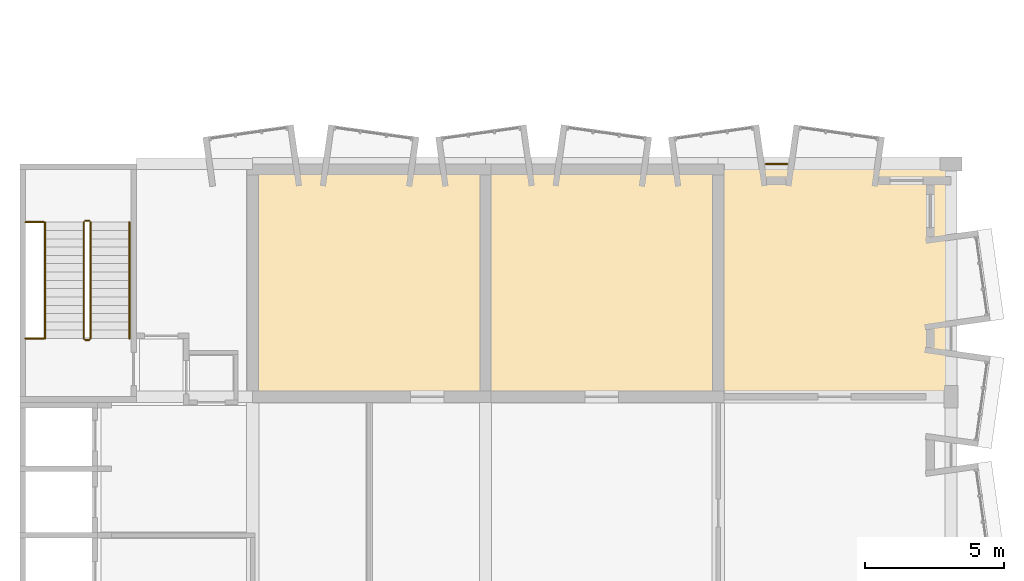
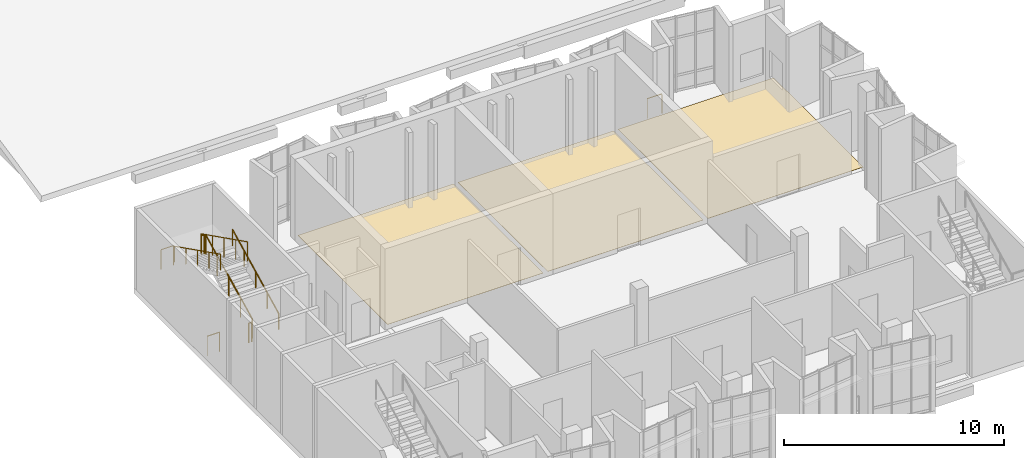
# One storey, part 17 of 19: 9 railings, 3 coverings.
"""IFC4 building model written with IfcOpenShell, lengths in metres."""

from ifc_helpers import new_model, si_unit, direction, frame, origin, origin_2d, place, context, subcontext, project, spatial, polyline, circle, outline, extrude, material, layer, layer_set, type_object, element, save


model = new_model("IFC4")

# Units and contexts
model_context = context("Model", 3, precision=1e-05, world=origin(), true_north=direction((0.0, 1.0)))
body_context = subcontext(model_context, "Body", "Model", "MODEL_VIEW")
ifc_project = project(units=[si_unit("LENGTHUNIT", "METRE"), si_unit("AREAUNIT", "SQUARE_METRE"), si_unit("VOLUMEUNIT", "CUBIC_METRE"), si_unit("PLANEANGLEUNIT", "RADIAN"), si_unit("MASSUNIT", "GRAM", prefix="KILO")], contexts=[model_context])

# Site, building, storey
site_placement = place(None, origin())
site = spatial("IfcSite", under=ifc_project, at=site_placement, CompositionType="ELEMENT")
building_placement = place(site_placement, origin())
building = spatial("IfcBuilding", under=site, at=building_placement, Name="Kiln Court Media Centre", CompositionType="ELEMENT")
storey_placement = place(building_placement, frame((0.0, 0.0, 29.10009765625)))
storey = spatial("IfcBuildingStorey", under=building, at=storey_placement, Name="L06", CompositionType="ELEMENT", Elevation=29.10009765625)

# Coverings
ifc_material_1 = material(Name="Carpet tile")
ifc_layer = layer(ifc_material_1, 0.014892578125)
ifc_layer_set = layer_set([ifc_layer], Name="Carpet tile floor finish 15")
covering_type = type_object("IfcCoveringType", Name="Carpet tile floor finish 15", PredefinedType="FLOORING", material=ifc_layer_set)
covering_1_placement = place(storey_placement, origin())
element("IfcCovering", 1, at=covering_1_placement, inside=storey, type_object=covering_type, Name="Dubbing Theatre floor finish", PredefinedType="FLOORING", context=body_context, shape_type="SweptSolid", body=[
    extrude(outline(polyline([(8.52001953125, 16.919921875), (16.679931640625, 16.919921875), (16.679931640625, 25.080078125), (8.52001953125, 25.080078125), (8.52001953125, 16.919921875)])), origin(), (0.0, 0.0, 1.0), 0.014892578125),
])
covering_2_placement = place(storey_placement, origin())
element("IfcCovering", 2, at=covering_2_placement, inside=storey, type_object=covering_type, Name="Foley Stage floor finish", PredefinedType="FLOORING", context=body_context, shape_type="SweptSolid", body=[
    extrude(outline(polyline([(16.919921875, 16.919921875), (25.080078125, 16.919921875), (25.080078125, 25.080078125), (16.919921875, 25.080078125), (16.919921875, 16.919921875)])), origin(), (0.0, 0.0, 1.0), 0.014892578125),
])
covering_3_placement = place(storey_placement, origin())
element("IfcCovering", 3, at=covering_3_placement, inside=storey, type_object=covering_type, Name="Voice Booths floor finish", PredefinedType="FLOORING", context=body_context, shape_type="SweptSolid", body=[
    extrude(outline(polyline([(25.320068359375, 16.919921875), (33.47998046875, 16.919921875), (33.47998046875, 25.080078125), (25.320068359375, 25.080078125), (25.320068359375, 16.919921875)])), origin(), (0.0, 0.0, 1.0), 0.014892578125),
])

# Railings
ifc_material_2 = material(Name="Steel S275", Category="steel")
railing_type_1 = type_object("IfcRailingType", Name="Steel S275 balustrade guard 1100", PredefinedType="GUARDRAIL", material=ifc_material_2)
railing_1_placement = place(storey_placement, frame((26.917724609375, 25.199951171875, 0.0)))
element("IfcRailing", 4, at=railing_1_placement, inside=storey, type_object=railing_type_1, Name="L06 slab notch guard", PredefinedType="GUARDRAIL", context=body_context, shape_type="SweptSolid", body=[
    extrude(circle(Radius=0.02392578125, at=origin_2d()), frame((0.0, 0.0, 1.076171875), z_axis=(1.0, 0.0, 0.0), x_axis=(0.0, 1.0, 0.0)), (0.0, 0.0, 1.0), 0.7646484375),
    extrude(circle(Radius=0.02099609375, at=origin_2d()), origin(), (0.0, 0.0, 1.0), 1.052001953125),
    extrude(circle(Radius=0.02099609375, at=origin_2d()), frame((0.7646484375, 0.0, 0.0)), (0.0, 0.0, 1.0), 1.052001953125),
])
ifc_material_3 = material(Name="Steel S275", Category="steel")
railing_type_2 = type_object("IfcRailingType", Name="Steel S275 stair guard 1100", PredefinedType="GUARDRAIL", material=ifc_material_3)
railing_2_placement = place(storey_placement, frame((2.550048828125, 18.89990234375, 0.14990234375)))
element("IfcRailing", 5, at=railing_2_placement, inside=storey, type_object=railing_type_2, Name="ST-02 stair guard", PredefinedType="GUARDRAIL", context=body_context, shape_type="SweptSolid", body=[
    extrude(circle(Radius=0.02392578125, at=origin_2d()), frame((0.0, 0.0, 1.076171875), z_axis=(0.0, 0.894427191, 0.4472135955), x_axis=(-1.0, 0.0, 0.0)), (0.0, 0.0, 1.0), 4.696044921875),
    extrude(circle(Radius=0.02099609375, at=origin_2d()), origin(), (0.0, 0.0, 1.0), 1.052001953125),
    extrude(circle(Radius=0.02099609375, at=origin_2d()), frame((0.0, 1.050048828125, 0.52490234375)), (0.0, 0.0, 1.0), 1.052001953125),
    extrude(circle(Radius=0.02099609375, at=origin_2d()), frame((0.0, 2.10009765625, 1.050048828125)), (0.0, 0.0, 1.0), 1.052001953125),
    extrude(circle(Radius=0.02099609375, at=origin_2d()), frame((0.0, 3.150146484375, 1.5751953125)), (0.0, 0.0, 1.0), 1.052001953125),
    extrude(circle(Radius=0.02099609375, at=origin_2d()), frame((0.0, 4.2001953125, 2.10009765625)), (0.0, 0.0, 1.0), 1.052001953125),
])
railing_3_placement = place(storey_placement, frame((2.5, 23.14990234375, 2.25)))
element("IfcRailing", 6, at=railing_3_placement, inside=storey, type_object=railing_type_2, Name="ST-02 stair guard", PredefinedType="GUARDRAIL", context=body_context, shape_type="SweptSolid", body=[
    extrude(circle(Radius=0.02392578125, at=origin_2d()), frame((0.0, 0.0, 1.076171875), z_axis=(-1.0, 0.0, 0.0), x_axis=(0.0, -1.0, 0.0)), (0.0, 0.0, 1.0), 0.14990234375),
    extrude(circle(Radius=0.02099609375, at=origin_2d()), origin(), (0.0, 0.0, 1.0), 1.052001953125),
    extrude(circle(Radius=0.02099609375, at=origin_2d()), frame((-0.14990234375, 0.0, 0.0)), (0.0, 0.0, 1.0), 1.052001953125),
])
railing_4_placement = place(storey_placement, frame((2.300048828125, 23.10009765625, 2.39990234375)))
element("IfcRailing", 7, at=railing_4_placement, inside=storey, type_object=railing_type_2, Name="ST-02 stair guard", PredefinedType="GUARDRAIL", context=body_context, shape_type="SweptSolid", body=[
    extrude(circle(Radius=0.02392578125, at=origin_2d()), frame((0.0, 0.0, 1.076171875), z_axis=(0.0, -0.894427191, 0.4472135955), x_axis=(1.0, 0.0, 0.0)), (0.0, 0.0, 1.0), 4.696044921875),
    extrude(circle(Radius=0.02099609375, at=origin_2d()), origin(), (0.0, 0.0, 1.0), 1.052001953125),
    extrude(circle(Radius=0.02099609375, at=origin_2d()), frame((0.0, -1.050048828125, 0.52490234375)), (0.0, 0.0, 1.0), 1.052001953125),
    extrude(circle(Radius=0.02099609375, at=origin_2d()), frame((0.0, -2.10009765625, 1.050048828125)), (0.0, 0.0, 1.0), 1.052001953125),
    extrude(circle(Radius=0.02099609375, at=origin_2d()), frame((0.0, -3.150146484375, 1.5751953125)), (0.0, 0.0, 1.0), 1.052001953125),
    extrude(circle(Radius=0.02099609375, at=origin_2d()), frame((0.0, -4.2001953125, 2.10009765625)), (0.0, 0.0, 1.0), 1.052001953125),
])
railing_5_placement = place(storey_placement, frame((2.5, 18.85009765625, 0.0)))
element("IfcRailing", 8, at=railing_5_placement, inside=storey, type_object=railing_type_2, Name="ST-02 stair guard", PredefinedType="GUARDRAIL", context=body_context, shape_type="SweptSolid", body=[
    extrude(circle(Radius=0.02392578125, at=origin_2d()), frame((0.0, 0.0, 1.076171875), z_axis=(-1.0, 0.0, 0.0), x_axis=(0.0, -1.0, 0.0)), (0.0, 0.0, 1.0), 0.14990234375),
    extrude(circle(Radius=0.02099609375, at=origin_2d()), origin(), (0.0, 0.0, 1.0), 1.052001953125),
    extrude(circle(Radius=0.02099609375, at=origin_2d()), frame((-0.14990234375, 0.0, 0.0)), (0.0, 0.0, 1.0), 1.052001953125),
])
for number, where, name in (
    (9, (0.85009765625, 23.10009765625, 2.25), "ST-02 landing edge guard"),
    (10, (0.85009765625, 18.89990234375, 0.0), "ST-02 landing edge guard"),
):
    element("IfcRailing", number, at=place(storey_placement, frame(where)), inside=storey, type_object=railing_type_2, Name=name, PredefinedType="GUARDRAIL", context=body_context, shape_type="SweptSolid", body=[
        extrude(circle(Radius=0.02392578125, at=origin_2d()), frame((0.0, 0.0, 1.076171875), z_axis=(-1.0, 0.0, 0.0), x_axis=(0.0, -1.0, 0.0)), (0.0, 0.0, 1.0), 0.650146484375),
        extrude(circle(Radius=0.02099609375, at=origin_2d()), origin(), (0.0, 0.0, 1.0), 1.052001953125),
        extrude(circle(Radius=0.02099609375, at=origin_2d()), frame((-0.650146484375, 0.0, 0.0)), (0.0, 0.0, 1.0), 1.052001953125),
    ])
ifc_material_4 = material(Name="Steel S275", Category="steel")
railing_type_3 = type_object("IfcRailingType", Name="Steel S275 stair handrail 900", PredefinedType="HANDRAIL", material=ifc_material_4)
railing_6_placement = place(storey_placement, frame((3.949951171875, 18.89990234375, 0.14990234375)))
element("IfcRailing", 11, at=railing_6_placement, inside=storey, type_object=railing_type_3, Name="ST-02 stair handrail", PredefinedType="HANDRAIL", context=body_context, shape_type="SweptSolid", body=[
    extrude(circle(Radius=0.02392578125, at=origin_2d()), frame((0.0, 0.0, 0.8759765625), z_axis=(0.0, 0.894427191, 0.4472135955), x_axis=(-1.0, 0.0, 0.0)), (0.0, 0.0, 1.0), 4.696044921875),
    extrude(circle(Radius=0.02099609375, at=origin_2d()), origin(), (0.0, 0.0, 1.0), 0.851806640625),
    extrude(circle(Radius=0.02099609375, at=origin_2d()), frame((0.0, 1.050048828125, 0.52490234375)), (0.0, 0.0, 1.0), 0.851806640625),
    extrude(circle(Radius=0.02099609375, at=origin_2d()), frame((0.0, 2.10009765625, 1.050048828125)), (0.0, 0.0, 1.0), 0.851806640625),
    extrude(circle(Radius=0.02099609375, at=origin_2d()), frame((0.0, 3.150146484375, 1.5751953125)), (0.0, 0.0, 1.0), 0.851806640625),
    extrude(circle(Radius=0.02099609375, at=origin_2d()), frame((0.0, 4.2001953125, 2.10009765625)), (0.0, 0.0, 1.0), 0.851806640625),
])
railing_7_placement = place(storey_placement, frame((0.89990234375, 23.10009765625, 2.39990234375)))
element("IfcRailing", 12, at=railing_7_placement, inside=storey, type_object=railing_type_3, Name="ST-02 stair handrail", PredefinedType="HANDRAIL", context=body_context, shape_type="SweptSolid", body=[
    extrude(circle(Radius=0.02392578125, at=origin_2d()), frame((0.0, 0.0, 0.8759765625), z_axis=(0.0, -0.894427191, 0.4472135955), x_axis=(1.0, 0.0, 0.0)), (0.0, 0.0, 1.0), 4.696044921875),
    extrude(circle(Radius=0.02099609375, at=origin_2d()), origin(), (0.0, 0.0, 1.0), 0.851806640625),
    extrude(circle(Radius=0.02099609375, at=origin_2d()), frame((0.0, -1.050048828125, 0.52490234375)), (0.0, 0.0, 1.0), 0.851806640625),
    extrude(circle(Radius=0.02099609375, at=origin_2d()), frame((0.0, -2.10009765625, 1.050048828125)), (0.0, 0.0, 1.0), 0.851806640625),
    extrude(circle(Radius=0.02099609375, at=origin_2d()), frame((0.0, -3.150146484375, 1.5751953125)), (0.0, 0.0, 1.0), 0.851806640625),
    extrude(circle(Radius=0.02099609375, at=origin_2d()), frame((0.0, -4.2001953125, 2.10009765625)), (0.0, 0.0, 1.0), 0.851806640625),
])

save(model, "model.ifc")
